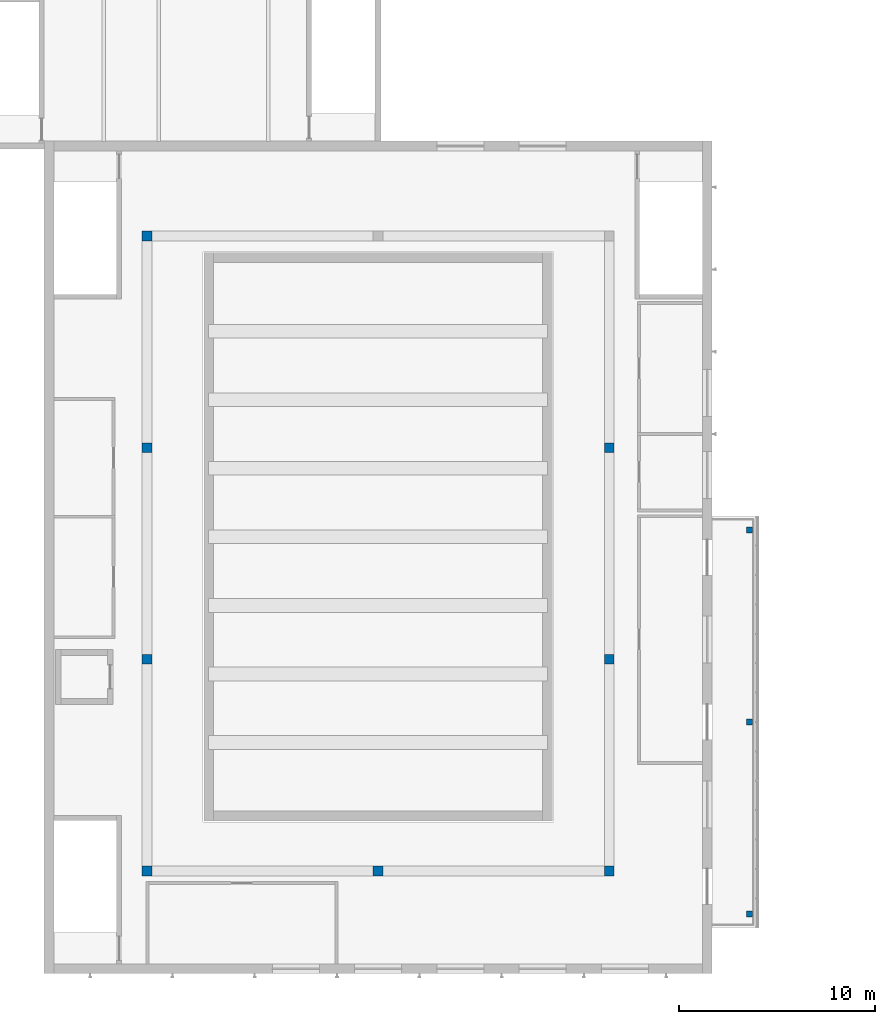
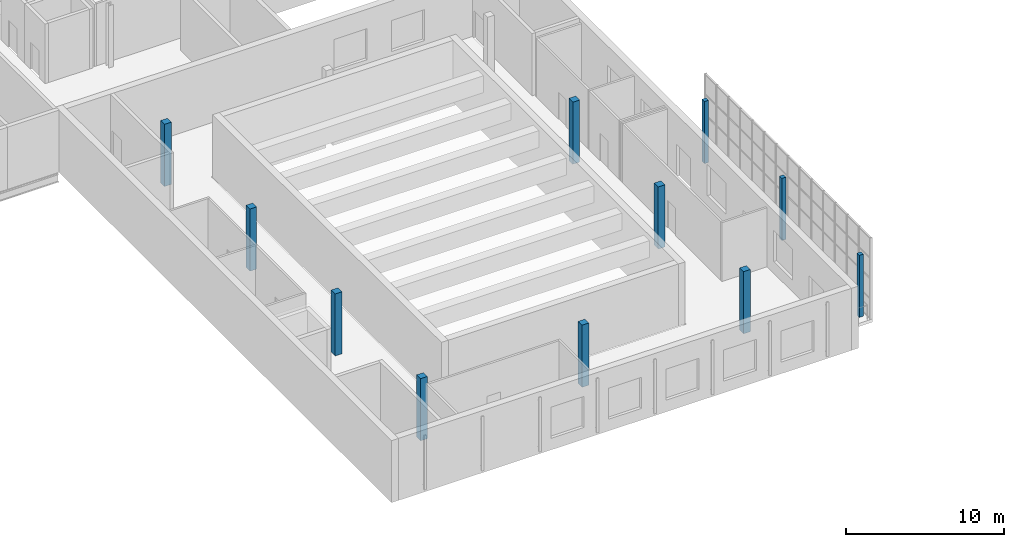
# One storey, part 1 of 116: 11 columns.
"""IFC4 building model written with IfcOpenShell, lengths in metres."""

from ifc_helpers import new_model, si_unit, direction, frame, origin, origin_2d, place, context, subcontext, project, spatial, rectangle, extrude, material, material_profile, profile_set, type_object, element, save


model = new_model("IFC4")

# Units and contexts
model_context = context("Model", 3, precision=1e-05, world=origin(), true_north=direction((0.0, 1.0)))
body_context = subcontext(model_context, "Body", "Model", "MODEL_VIEW")
ifc_project = project(units=[si_unit("LENGTHUNIT", "METRE"), si_unit("AREAUNIT", "SQUARE_METRE"), si_unit("VOLUMEUNIT", "CUBIC_METRE"), si_unit("PLANEANGLEUNIT", "RADIAN"), si_unit("MASSUNIT", "GRAM", prefix="KILO")], contexts=[model_context])

# Site, building, storey
site_placement = place(None, origin())
site = spatial("IfcSite", under=ifc_project, at=site_placement, CompositionType="ELEMENT")
building_placement = place(site_placement, origin())
building = spatial("IfcBuilding", under=site, at=building_placement, Name="Ljudholm Concert House", CompositionType="ELEMENT")
storey_placement = place(building_placement, frame((0.0, 0.0, 10.199951171875)))
storey = spatial("IfcBuildingStorey", under=building, at=storey_placement, Name="L02", CompositionType="ELEMENT", Elevation=10.199951171875)

# Columns
ifc_material_1 = material(Name="Concrete 6,500 psi", Category="concrete")
ifc_material_profile_1 = material_profile(ifc_material_1, rectangle(XDim=0.300048828125, YDim=0.300048828125, at=origin_2d()), Name="RC COLUMN 300x300")
ifc_profile_set_1 = profile_set([ifc_material_profile_1], Name="Concrete 6,500 psi")
column_type_1 = type_object("IfcColumnType", Name="RC COLUMN 300x300", PredefinedType="COLUMN", material=ifc_profile_set_1)
for number, where, z_axis, x_axis, name in (
    (1, (48.14990234375, 6.800048828125, 0.0), (0.0, 0.0, 1.0), (1.0, 0.0, 0.0), "Loggia edge column"),
    (2, (48.14990234375, 16.60009765625, 0.0), (0.0, 0.0, 1.0), (1.0, 0.0, 0.0), "Loggia edge column"),
    (3, (48.14990234375, 26.39990234375, 0.0), (0.0, 0.0, 1.0), (1.0, 0.0, 0.0), "Loggia edge column"),
):
    element("IfcColumn", number, at=place(storey_placement, frame(where, z_axis=z_axis, x_axis=x_axis)), inside=storey, type_object=column_type_1, Name=name, PredefinedType="COLUMN", context=body_context, shape_type="SweptSolid", body=[
        extrude(rectangle(XDim=0.300048828125, YDim=0.300048828125, at=origin_2d()), origin(), (0.0, 0.0, 1.0), 4.800048828125),
    ])
ifc_material_2 = material(Name="Concrete 6,500 psi", Category="concrete")
ifc_material_profile_2 = material_profile(ifc_material_2, rectangle(XDim=0.5, YDim=0.5, at=origin_2d()), Name="RC COLUMN 500x500")
ifc_profile_set_2 = profile_set([ifc_material_profile_2], Name="Concrete 6,500 psi")
column_type_2 = type_object("IfcColumnType", Name="RC COLUMN 500x500", PredefinedType="COLUMN", material=ifc_profile_set_2)
for number, where, z_axis, x_axis, name in (
    (4, (17.39990234375, 9.0, 0.0), (0.0, 0.0, 1.0), (1.0, 0.0, 0.0), "Ring column"),
    (5, (29.199951171875, 9.0, 0.0), (0.0, 0.0, 1.0), (1.0, 0.0, 0.0), "Ring column"),
    (6, (41.0, 9.0, 0.0), (0.0, 0.0, 1.0), (1.0, 0.0, 0.0), "Ring column"),
    (7, (17.39990234375, 41.39990234375, 0.0), (0.0, 0.0, 1.0), (1.0, 0.0, 0.0), "Ring column"),
    (8, (17.39990234375, 19.800048828125, 0.0), (0.0, 0.0, 1.0), (1.0, 0.0, 0.0), "Ring column"),
    (9, (17.39990234375, 30.60009765625, 0.0), (0.0, 0.0, 1.0), (1.0, 0.0, 0.0), "Ring column"),
    (10, (41.0, 19.800048828125, 0.0), (0.0, 0.0, 1.0), (1.0, 0.0, 0.0), "Ring column"),
    (11, (41.0, 30.60009765625, 0.0), (0.0, 0.0, 1.0), (1.0, 0.0, 0.0), "Ring column"),
):
    element("IfcColumn", number, at=place(storey_placement, frame(where, z_axis=z_axis, x_axis=x_axis)), inside=storey, type_object=column_type_2, Name=name, PredefinedType="COLUMN", context=body_context, shape_type="SweptSolid", body=[
        extrude(rectangle(XDim=0.5, YDim=0.5, at=origin_2d()), origin(), (0.0, 0.0, 1.0), 4.800048828125),
    ])

save(model, "model.ifc")
